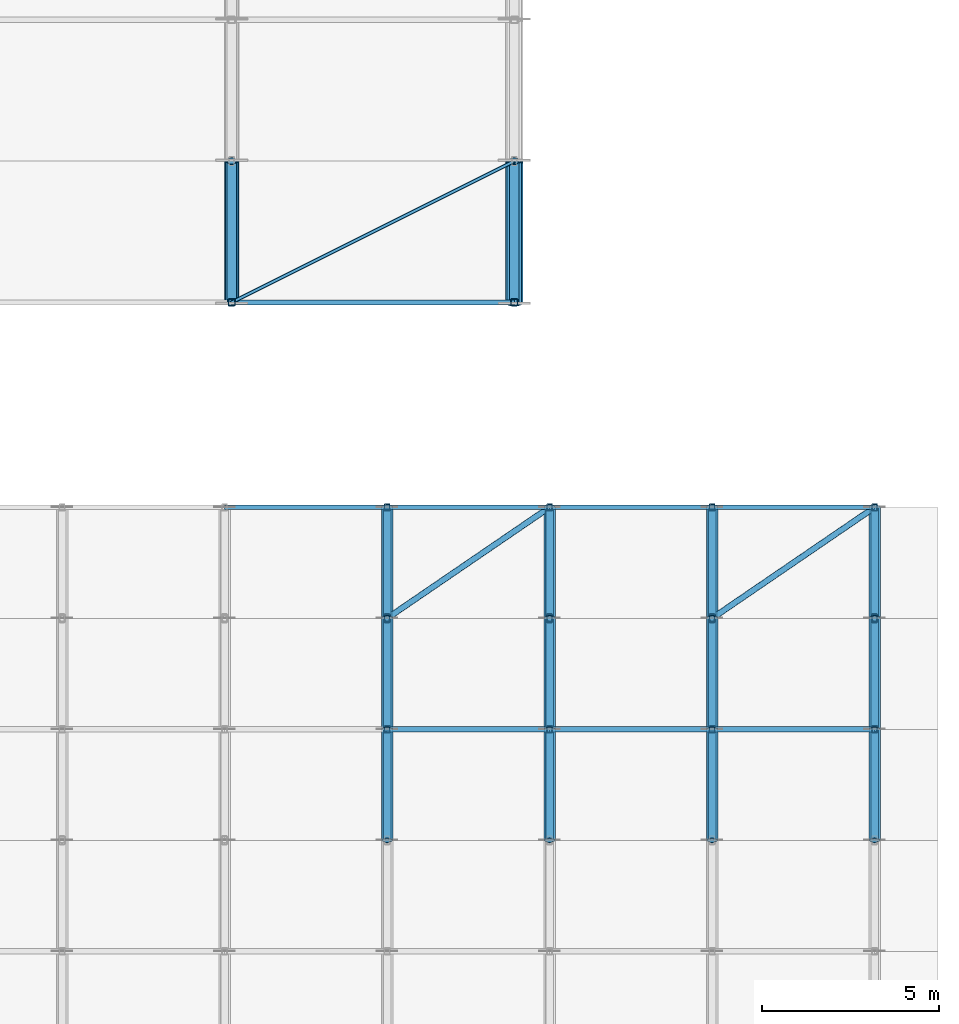
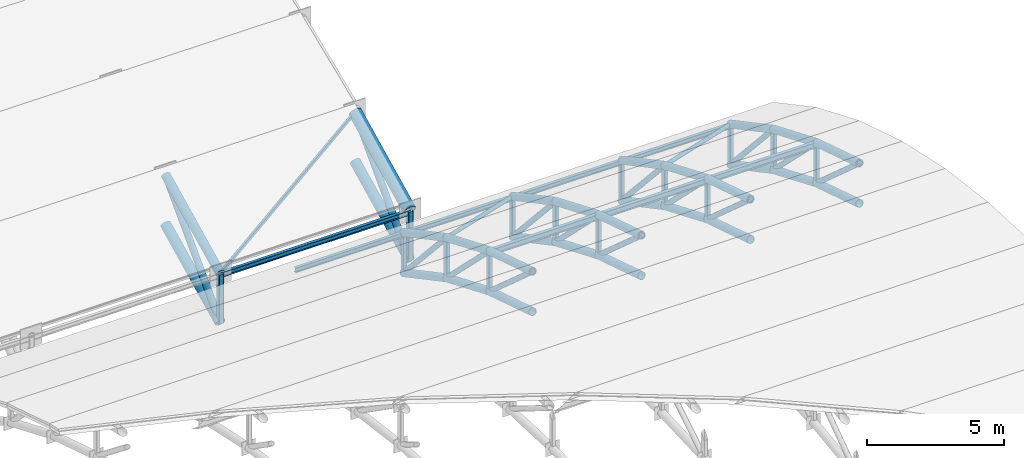
# One storey, part 45 of 98: 67 members.
"""IFC4 building model written with IfcOpenShell, lengths in metres."""

import ifcopenshell
import ifcopenshell.guid

model = None  # the IFC model being written
_history = None  # IfcOwnerHistory: only IFC2X3 demands one
_inside = {}  # id of a spatial element -> (the spatial element, [elements in it])
_under = {}  # id of a project, library or spatial element -> (it, [spatial elements below it])
_declared = {}  # id of a project -> (the project, [libraries it declares])
_typed = {}  # id of a type object -> (the type object, [elements of that type])
_made_of = {}  # id of a material, layer set ... -> (it, [elements and type objects made of it])


def new_model(schema):
    """Start an empty IFC model of exactly this schema.

    Asked for "IFC4X3", IfcOpenShell would pick the latest addendum, in which some entities
    have other attributes; the version numbers below select the first issue.
    IFC2X3 requires an IfcOwnerHistory on every rooted entity: one is made here for all.
    """
    global model, _history
    if schema == "IFC4X3":
        model = ifcopenshell.file(schema_version=(4, 3, 0, 0))
    else:
        model = ifcopenshell.file(schema=schema)
    _inside.clear()
    _under.clear()
    _declared.clear()
    _typed.clear()
    _made_of.clear()
    _history = None
    if model.schema == "IFC2X3":
        org = make("IfcOrganization", Name="unknown")
        user = make(
            "IfcPersonAndOrganization",
            ThePerson=make("IfcPerson", FamilyName="unknown"),
            TheOrganization=org,
        )
        app = make(
            "IfcApplication",
            ApplicationDeveloper=org,
            Version="unknown",
            ApplicationFullName="unknown",
            ApplicationIdentifier="unknown",
        )
        _history = make(
            "IfcOwnerHistory",
            OwningUser=user,
            OwningApplication=app,
            ChangeAction="ADDED",
            CreationDate=0,
        )
    return model


def make(cls, **values):
    """One entity of the class cls with the attributes given. An attribute that is None is left unset."""
    return model.create_entity(
        cls, **{name: value for name, value in values.items() if value is not None}
    )


def rooted(cls, **values):
    """An entity with a GlobalId (a new one), such as an element, a storey or a relation."""
    return make(cls, GlobalId=ifcopenshell.guid.new(), OwnerHistory=_history, **values)


def si_unit(unit_type, name, prefix=None):
    """IfcSIUnit, for example si_unit("LENGTHUNIT", "METRE", prefix="MILLI")."""
    return make("IfcSIUnit", UnitType=unit_type, Prefix=prefix, Name=name)


def assignment(units):
    """IfcUnitAssignment: the units of a project."""
    return None if units is None else make("IfcUnitAssignment", Units=units)


def point(xyz):
    """IfcCartesianPoint."""
    return None if xyz is None else make("IfcCartesianPoint", Coordinates=xyz)


def direction(xyz):
    """IfcDirection."""
    return None if xyz is None else make("IfcDirection", DirectionRatios=xyz)


def frame(location, z_axis=None, x_axis=None):
    """IfcAxis2Placement3D, a coordinate frame: its origin and axes. An axis left out is left unset."""
    return make(
        "IfcAxis2Placement3D",
        Location=point(location),
        Axis=direction(z_axis),
        RefDirection=direction(x_axis),
    )


def frame_2d(location, x_axis=None):
    """IfcAxis2Placement2D, a coordinate frame in the plane: its origin and x axis."""
    return make(
        "IfcAxis2Placement2D", Location=point(location), RefDirection=direction(x_axis)
    )


def origin():
    """The frame at (0, 0, 0) with its axes left unset."""
    return frame((0.0, 0.0, 0.0))


def origin_2d():
    """The frame at (0, 0) in the plane with its x axis left unset."""
    return frame_2d((0.0, 0.0))


def place(relative_to, where):
    """IfcLocalPlacement: puts the frame where relative to a parent placement (None: the world)."""
    return make(
        "IfcLocalPlacement", PlacementRelTo=relative_to, RelativePlacement=where
    )


def context(
    kind, dimensions, precision=None, world=None, true_north=None, identifier=None
):
    """IfcGeometricRepresentationContext, for example the 3D "Model" context."""
    return make(
        "IfcGeometricRepresentationContext",
        ContextIdentifier=identifier,
        ContextType=kind,
        CoordinateSpaceDimension=dimensions,
        Precision=precision,
        WorldCoordinateSystem=world,
        TrueNorth=true_north,
    )


def subcontext(parent, identifier, kind, view, scale=None):
    """IfcGeometricRepresentationSubContext, for example "Body" below "Model"."""
    return make(
        "IfcGeometricRepresentationSubContext",
        ContextIdentifier=identifier,
        ContextType=kind,
        ParentContext=parent,
        TargetScale=scale,
        TargetView=view,
    )


def project(units=None, contexts=None):
    """IfcProject with its units and contexts."""
    return rooted(
        "IfcProject",
        Name="project",
        RepresentationContexts=contexts,
        UnitsInContext=assignment(units),
    )


def spatial(cls, under=None, at=None, **own):
    """A site, building, storey or space (cls), placed at a placement, below another one or the project."""
    s = rooted(cls, ObjectPlacement=at, **own)
    if under is not None:
        _under.setdefault(under.id(), (under, []))[1].append(s)
    return s


def profile(cls, at=None, kind="AREA", **sizes):
    """A parametric profile (cls). Its sizes go by their IFC names, for example OverallWidth=200.0."""
    return make(cls, ProfileType=kind, Position=at, **sizes)


def hollow_rectangle(**sizes):
    """IfcRectangleHollowProfileDef."""
    return profile("IfcRectangleHollowProfileDef", **sizes)


def hollow_circle(**sizes):
    """IfcCircleHollowProfileDef."""
    return profile("IfcCircleHollowProfileDef", **sizes)


def i_section(**sizes):
    """IfcIShapeProfileDef."""
    return profile("IfcIShapeProfileDef", **sizes)


def extrude(swept, where, along, depth):
    """IfcExtrudedAreaSolid: the profile swept, set in the frame where, extruded along a direction by depth."""
    return make(
        "IfcExtrudedAreaSolid",
        SweptArea=swept,
        Position=where,
        ExtrudedDirection=direction(along),
        Depth=depth,
    )


def shape(context_of_items, identifier, shape_type, items):
    """IfcShapeRepresentation: the items that make up one representation, for example the "Body"."""
    return make(
        "IfcShapeRepresentation",
        ContextOfItems=context_of_items,
        RepresentationIdentifier=identifier,
        RepresentationType=shape_type,
        Items=items,
    )


def material(Name=None, Category=None):
    """IfcMaterial."""
    return make("IfcMaterial", Name=Name, Category=Category)


def material_profile(
    of_material, cross_section, Name=None, Category=None, Priority=None
):
    """IfcMaterialProfile: a cross section and its material."""
    return make(
        "IfcMaterialProfile",
        Name=Name,
        Material=of_material,
        Profile=cross_section,
        Priority=Priority,
        Category=Category,
    )


def profile_set(profiles, Name=None, composite=None):
    """IfcMaterialProfileSet."""
    return make(
        "IfcMaterialProfileSet",
        Name=Name,
        MaterialProfiles=profiles,
        CompositeProfile=composite,
    )


def made_of(thing, what):
    """Note that an element or type object is made of a material, layer set ...; save() writes the relation."""
    if what is not None:
        _made_of.setdefault(what.id(), (what, []))[1].append(thing)
    return thing


def type_object(cls, material=None, **own):
    """A type object (cls), such as IfcWallType, which elements share."""
    return made_of(rooted(cls, **own), material)


def element(
    cls,
    number,
    at=None,
    inside=None,
    cuts=None,
    type_object=None,
    material=None,
    context=None,
    identifier="Body",
    shape_type=None,
    held_by="IfcProductDefinitionShape",
    body=None,
    shapes=None,
    **own,
):
    """One element of the class cls, such as IfcWall. Its Tag is "e" and its number.

    at: its placement. inside: the storey or other place that contains it. cuts: it is an
    opening in that element (IfcRelVoidsElement). A single representation is given by context,
    identifier, shape_type and body (its items); several are given by shapes. held_by: the class
    of the entity that holds the representations. save() writes the other relations.
    """
    e = rooted(cls, Tag="e%d" % number, ObjectPlacement=at, **own)
    if body is not None:
        shapes = [shape(context, identifier, shape_type, body)]
    if shapes is not None:
        e.Representation = make(held_by, Representations=shapes)
    if inside is not None:
        _inside.setdefault(inside.id(), (inside, []))[1].append(e)
    if cuts is not None:
        rooted(
            "IfcRelVoidsElement", RelatingBuildingElement=cuts, RelatedOpeningElement=e
        )
    if type_object is not None:
        _typed.setdefault(type_object.id(), (type_object, []))[1].append(e)
    return made_of(e, material)


def aggregate(whole, parts):
    """IfcRelAggregates: a whole, such as a stair, and the parts it consists of."""
    return rooted("IfcRelAggregates", RelatingObject=whole, RelatedObjects=parts)


def save(model, path):
    """Write the relations noted so far, then the file.

    IfcRelAggregates (storeys below a building ...), IfcRelContainedInSpatialStructure (elements
    in a storey), IfcRelDefinesByType, IfcRelAssociatesMaterial and IfcRelDeclares: one each for
    every whole, place, type object, material and project.
    """
    for whole, parts in _under.values():
        aggregate(whole, parts)
    for where, things in _inside.values():
        rooted(
            "IfcRelContainedInSpatialStructure",
            RelatedElements=things,
            RelatingStructure=where,
        )
    for kind, things in _typed.values():
        rooted("IfcRelDefinesByType", RelatedObjects=things, RelatingType=kind)
    for what, things in _made_of.values():
        rooted("IfcRelAssociatesMaterial", RelatedObjects=things, RelatingMaterial=what)
    for by, libraries in _declared.values():
        rooted("IfcRelDeclares", RelatingContext=by, RelatedDefinitions=libraries)
    model.write(path)


model = new_model("IFC4")

# Units and contexts
model_context = context("Model", 3, precision=1e-05, world=origin(), true_north=direction((0.0, 1.0)))
body_context = subcontext(model_context, "Body", "Model", "MODEL_VIEW")
ifc_project = project(units=[si_unit("LENGTHUNIT", "METRE"), si_unit("AREAUNIT", "SQUARE_METRE"), si_unit("VOLUMEUNIT", "CUBIC_METRE"), si_unit("PLANEANGLEUNIT", "RADIAN"), si_unit("MASSUNIT", "GRAM", prefix="KILO")], contexts=[model_context])

# Site, building, storey
site_placement = place(None, origin())
site = spatial("IfcSite", under=ifc_project, at=site_placement, CompositionType="ELEMENT")
building_placement = place(site_placement, origin())
building = spatial("IfcBuilding", under=site, at=building_placement, Name="Tlacozan Convention Centre", CompositionType="ELEMENT")
storey_placement = place(building_placement, frame((0.0, 0.0, 25.800048828125)))
storey = spatial("IfcBuildingStorey", under=building, at=storey_placement, Name="Roof", CompositionType="ELEMENT", Elevation=25.800048828125)

# Members
ifc_material_1 = material(Name="Steel ASTM A500 Grade C", Category="steel")
ifc_material_profile_1 = material_profile(ifc_material_1, hollow_circle(Radius=0.203125, WallThickness=0.015869140625, at=origin_2d()), Name="OC 406.4x15.9")
ifc_profile_set_1 = profile_set([ifc_material_profile_1], Name="Steel ASTM A500 Grade C")
member_type_1 = type_object("IfcMemberType", Name="Arch Bottom Chord OC 406.4x15.9", PredefinedType="CHORD", material=ifc_profile_set_1)
for number, where, z_axis, x_axis, name in (
    (1, (160.0, 62.0, -12.800048828125), (0.0, 0.897300183135, 0.441420866459), (-1.0, 0.0, 0.0), "V2A Roof Truss 21 Bottom Chord 1"),
    (2, (168.0, 62.0, -12.800048828125), (0.0, 0.897300183135, 0.441420866459), (-1.0, 0.0, 0.0), "V2A Roof Truss 22 Bottom Chord 1"),
):
    element("IfcMember", number, at=place(storey_placement, frame(where, z_axis=z_axis, x_axis=x_axis)), inside=storey, type_object=member_type_1, Name=name, PredefinedType="CHORD", context=body_context, shape_type="SweptSolid", body=[
        extrude(hollow_circle(Radius=0.203125, WallThickness=0.015869140625, at=origin_2d()), origin(), (0.0, 0.0, 1.0), 4.457763671875),
    ])
ifc_material_profile_2 = material_profile(ifc_material_1, hollow_circle(Radius=0.25390625, WallThickness=0.01904296875, at=origin_2d()), Name="OC 508.0x19.1")
ifc_profile_set_2 = profile_set([ifc_material_profile_2], Name="Steel ASTM A500 Grade C")
member_type_2 = type_object("IfcMemberType", Name="Arch Top Chord OC 508x19.1", PredefinedType="CHORD", material=ifc_profile_set_2)
member_1_placement = place(storey_placement, frame((168.0, 62.0, -10.60009765625), z_axis=(0.0, 0.897300183135, 0.441420866459), x_axis=(-1.0, 0.0, 0.0)))
element("IfcMember", 3, at=member_1_placement, inside=storey, type_object=member_type_2, Name="V2A Roof Truss 22 Top Chord 1", PredefinedType="CHORD", context=body_context, shape_type="SweptSolid", body=[
    extrude(hollow_circle(Radius=0.25390625, WallThickness=0.01904296875, at=origin_2d()), origin(), (0.0, 0.0, 1.0), 4.457763671875),
])
ifc_material_profile_3 = material_profile(ifc_material_1, hollow_circle(Radius=0.136474609375, WallThickness=0.0126953125, at=origin_2d()), Name="OC 273.1x12.7")
ifc_profile_set_3 = profile_set([ifc_material_profile_3], Name="Steel ASTM A500 Grade C")
member_type_3 = type_object("IfcMemberType", Name="Arch Web Diagonal OC 273.1x12.7", PredefinedType="BRACE", material=ifc_profile_set_3)
for number, where, z_axis, x_axis, name in (
    (4, (160.0, 62.0, -12.800048828125), (0.0, 0.69244032859, 0.721475149497), (-1.0, 0.0, 0.0), "V2A Roof Truss 21 Web Diagonal 1"),
    (5, (168.0, 62.0, -12.800048828125), (0.0, 0.69244032859, 0.721475149497), (-1.0, 0.0, 0.0), "V2A Roof Truss 22 Web Diagonal 1"),
):
    element("IfcMember", number, at=place(storey_placement, frame(where, z_axis=z_axis, x_axis=x_axis)), inside=storey, type_object=member_type_3, Name=name, PredefinedType="BRACE", context=body_context, shape_type="SweptSolid", body=[
        extrude(hollow_circle(Radius=0.136474609375, WallThickness=0.0126953125, at=origin_2d()), origin(), (0.0, 0.0, 1.0), 5.776611328125),
    ])
ifc_material_profile_4 = material_profile(ifc_material_1, hollow_rectangle(XDim=0.203125, YDim=0.203125, WallThickness=0.0126953125, InnerFilletRadius=0.0126953125, OuterFilletRadius=0.02490234375, at=origin_2d()), Name="OR 203x203x12.7")
ifc_profile_set_4 = profile_set([ifc_material_profile_4], Name="Steel ASTM A500 Grade C")
member_type_4 = type_object("IfcMemberType", Name="Arch Web Strut OR 203x203x12.7", PredefinedType="STRUT", material=ifc_profile_set_4)
for number, where, z_axis, x_axis, name in (
    (6, (160.0, 62.0, -12.800048828125), (0.0, 0.0, 1.0), (1.0, 0.0, 0.0), "V2A Roof Truss 21 Vertical Strut 1"),
    (7, (168.0, 62.0, -12.800048828125), (0.0, 0.0, 1.0), (1.0, 0.0, 0.0), "V2A Roof Truss 22 Vertical Strut 1"),
):
    element("IfcMember", number, at=place(storey_placement, frame(where, z_axis=z_axis, x_axis=x_axis)), inside=storey, type_object=member_type_4, Name=name, PredefinedType="STRUT", context=body_context, shape_type="SweptSolid", body=[
        extrude(hollow_rectangle(XDim=0.203125, YDim=0.203125, WallThickness=0.0126953125, InnerFilletRadius=0.0126953125, OuterFilletRadius=0.02490234375, at=origin_2d()), origin(), (0.0, 0.0, 1.0), 2.199951171875),
    ])
ifc_material_profile_5 = material_profile(ifc_material_1, hollow_circle(Radius=0.084228515625, WallThickness=0.007080078125, at=origin_2d()), Name="OC 168.3x7.1")
ifc_profile_set_5 = profile_set([ifc_material_profile_5], Name="Steel ASTM A500 Grade C")
member_type_5 = type_object("IfcMemberType", Name="Canopy Tie Brace OC 168.3x7.1", PredefinedType="BRACE", material=ifc_profile_set_5)
for number, where, z_axis, x_axis, name in (
    (8, (164.39990234375, 53.058349609375, -5.124755859375), (0.790806198317, 0.540075053601, -0.288000856218), (-0.563970393817, 0.825795007794, 0.0), "V3A Roof Truss Plan Brace 5.12"),
    (9, (173.60009765625, 53.058349609375, -5.124755859375), (0.790790474351, 0.540092979351, -0.288010415318), (-0.563990805831, 0.825781067195, 0.0), "V3A Roof Truss Plan Brace 7.12"),
):
    element("IfcMember", number, at=place(storey_placement, frame(where, z_axis=z_axis, x_axis=x_axis)), inside=storey, type_object=member_type_5, Name=name, PredefinedType="BRACE", context=body_context, shape_type="SweptSolid", body=[
        extrude(hollow_circle(Radius=0.084228515625, WallThickness=0.007080078125, at=origin_2d()), origin(), (0.0, 0.0, 1.0), 5.81689453125),
    ])
ifc_material_2 = material(Name="Steel ASTM A992 Grade 50", Category="steel")
ifc_material_profile_6 = material_profile(ifc_material_2, i_section(OverallWidth=0.14697265625, OverallDepth=0.261962890625, WebThickness=0.006591796875, FlangeThickness=0.01123046875, FilletRadius=0.008056640625, at=origin_2d()), Name="IR 254x38.5")
ifc_profile_set_6 = profile_set([ifc_material_profile_6], Name="Steel ASTM A992 Grade 50")
member_type_6 = type_object("IfcMemberType", Name="Plenary Acoustic Purlin IR 254x38.5", PredefinedType="PURLIN", material=ifc_profile_set_6)
for number, where, z_axis, x_axis, name in (
    (10, (164.39990234375, 49.916748046875, -3.87939453125), (1.0, 0.0, 0.0), (0.0, 1.0, 0.0), "V3A Roof Truss Purlin 5.11"),
    (11, (169.0, 49.916748046875, -3.87939453125), (1.0, 0.0, 0.0), (0.0, 1.0, 0.0), "V3A Roof Truss Purlin 6.11"),
):
    element("IfcMember", number, at=place(storey_placement, frame(where, z_axis=z_axis, x_axis=x_axis)), inside=storey, type_object=member_type_6, Name=name, PredefinedType="PURLIN", context=body_context, shape_type="SweptSolid", body=[
        extrude(i_section(OverallWidth=0.14697265625, OverallDepth=0.261962890625, WebThickness=0.006591796875, FlangeThickness=0.01123046875, FilletRadius=0.008056640625, at=origin_2d()), origin(), (0.0, 0.0, 1.0), 4.60009765625),
    ])
member_2_placement = place(storey_placement, frame((173.60009765625, 49.916748046875, -3.87939453125), z_axis=(1.0, 0.0, 0.0), x_axis=(0.0, 1.0, 0.0)))
element("IfcMember", 12, at=member_2_placement, inside=storey, type_object=member_type_6, Name="V3A Roof Truss Purlin 7.11", PredefinedType="PURLIN", context=body_context, shape_type="SweptSolid", body=[
    extrude(i_section(OverallWidth=0.14697265625, OverallDepth=0.261962890625, WebThickness=0.006591796875, FlangeThickness=0.01123046875, FilletRadius=0.008056640625, at=origin_2d()), origin(), (0.0, 0.0, 1.0), 4.599853515625),
])
ifc_material_profile_7 = material_profile(ifc_material_1, hollow_circle(Radius=0.161865234375, WallThickness=0.0126953125, at=origin_2d()), Name="OC 323.9x12.7")
ifc_profile_set_7 = profile_set([ifc_material_profile_7], Name="Steel ASTM A500 Grade C")
member_type_7 = type_object("IfcMemberType", Name="Plenary Arch Chord OC 323.9x12.7", PredefinedType="CHORD", material=ifc_profile_set_7)
for number, where, z_axis, x_axis, name in (
    (13, (164.39990234375, 46.77490234375, -2.82861328125), (0.0, 0.954132369199, -0.299385073186), (-1.0, 0.0, 0.0), "V3A Roof Truss 5 Top Chord 10"),
    (14, (164.39990234375, 46.77490234375, -4.628662109375), (0.0, 0.954132369199, -0.299385073186), (-1.0, 0.0, 0.0), "V3A Roof Truss 5 Bottom Chord 10"),
):
    element("IfcMember", number, at=place(storey_placement, frame(where, z_axis=z_axis, x_axis=x_axis)), inside=storey, type_object=member_type_7, Name=name, PredefinedType="CHORD", context=body_context, shape_type="SweptSolid", body=[
        extrude(hollow_circle(Radius=0.161865234375, WallThickness=0.0126953125, at=origin_2d()), origin(), (0.0, 0.0, 1.0), 3.29296875),
    ])
for number, where, z_axis, x_axis, name in (
    (15, (164.39990234375, 49.916748046875, -3.814453125), (0.0, 0.922941057271, -0.384941300464), (-1.0, 0.0, 0.0), "V3A Roof Truss 5 Top Chord 11"),
    (16, (164.39990234375, 49.916748046875, -5.614501953125), (0.0, 0.922941057271, -0.384941300464), (-1.0, 0.0, 0.0), "V3A Roof Truss 5 Bottom Chord 11"),
):
    element("IfcMember", number, at=place(storey_placement, frame(where, z_axis=z_axis, x_axis=x_axis)), inside=storey, type_object=member_type_7, Name=name, PredefinedType="CHORD", context=body_context, shape_type="SweptSolid", body=[
        extrude(hollow_circle(Radius=0.161865234375, WallThickness=0.0126953125, at=origin_2d()), origin(), (0.0, 0.0, 1.0), 3.40380859375),
    ])
for number, where, z_axis, x_axis, name in (
    (17, (164.39990234375, 53.058349609375, -5.124755859375), (0.0, 0.882379514235, -0.47053840742), (-1.0, 0.0, 0.0), "V3A Roof Truss 5 Top Chord 12"),
    (18, (164.39990234375, 53.058349609375, -6.9248046875), (0.0, 0.882379514235, -0.47053840742), (-1.0, 0.0, 0.0), "V3A Roof Truss 5 Bottom Chord 12"),
):
    element("IfcMember", number, at=place(storey_placement, frame(where, z_axis=z_axis, x_axis=x_axis)), inside=storey, type_object=member_type_7, Name=name, PredefinedType="CHORD", context=body_context, shape_type="SweptSolid", body=[
        extrude(hollow_circle(Radius=0.161865234375, WallThickness=0.0126953125, at=origin_2d()), origin(), (0.0, 0.0, 1.0), 3.560302734375),
    ])
for number, where, z_axis, x_axis, name in (
    (19, (169.0, 46.77490234375, -2.82861328125), (0.0, 0.954132369199, -0.299385073186), (-1.0, 0.0, 0.0), "V3A Roof Truss 6 Top Chord 10"),
    (20, (169.0, 46.77490234375, -4.628662109375), (0.0, 0.954132369199, -0.299385073186), (-1.0, 0.0, 0.0), "V3A Roof Truss 6 Bottom Chord 10"),
):
    element("IfcMember", number, at=place(storey_placement, frame(where, z_axis=z_axis, x_axis=x_axis)), inside=storey, type_object=member_type_7, Name=name, PredefinedType="CHORD", context=body_context, shape_type="SweptSolid", body=[
        extrude(hollow_circle(Radius=0.161865234375, WallThickness=0.0126953125, at=origin_2d()), origin(), (0.0, 0.0, 1.0), 3.29296875),
    ])
for number, where, z_axis, x_axis, name in (
    (21, (169.0, 49.916748046875, -3.814453125), (0.0, 0.922941057271, -0.384941300464), (-1.0, 0.0, 0.0), "V3A Roof Truss 6 Top Chord 11"),
    (22, (169.0, 49.916748046875, -5.614501953125), (0.0, 0.922941057271, -0.384941300464), (-1.0, 0.0, 0.0), "V3A Roof Truss 6 Bottom Chord 11"),
):
    element("IfcMember", number, at=place(storey_placement, frame(where, z_axis=z_axis, x_axis=x_axis)), inside=storey, type_object=member_type_7, Name=name, PredefinedType="CHORD", context=body_context, shape_type="SweptSolid", body=[
        extrude(hollow_circle(Radius=0.161865234375, WallThickness=0.0126953125, at=origin_2d()), origin(), (0.0, 0.0, 1.0), 3.40380859375),
    ])
for number, where, z_axis, x_axis, name in (
    (23, (169.0, 53.058349609375, -5.124755859375), (0.0, 0.882379514235, -0.47053840742), (-1.0, 0.0, 0.0), "V3A Roof Truss 6 Top Chord 12"),
    (24, (169.0, 53.058349609375, -6.9248046875), (0.0, 0.882379514235, -0.47053840742), (-1.0, 0.0, 0.0), "V3A Roof Truss 6 Bottom Chord 12"),
):
    element("IfcMember", number, at=place(storey_placement, frame(where, z_axis=z_axis, x_axis=x_axis)), inside=storey, type_object=member_type_7, Name=name, PredefinedType="CHORD", context=body_context, shape_type="SweptSolid", body=[
        extrude(hollow_circle(Radius=0.161865234375, WallThickness=0.0126953125, at=origin_2d()), origin(), (0.0, 0.0, 1.0), 3.560302734375),
    ])
for number, where, z_axis, x_axis, name in (
    (25, (173.60009765625, 46.77490234375, -2.82861328125), (0.0, 0.954132369199, -0.299385073186), (-1.0, 0.0, 0.0), "V3A Roof Truss 7 Top Chord 10"),
    (26, (173.60009765625, 46.77490234375, -4.628662109375), (0.0, 0.954132369199, -0.299385073186), (-1.0, 0.0, 0.0), "V3A Roof Truss 7 Bottom Chord 10"),
):
    element("IfcMember", number, at=place(storey_placement, frame(where, z_axis=z_axis, x_axis=x_axis)), inside=storey, type_object=member_type_7, Name=name, PredefinedType="CHORD", context=body_context, shape_type="SweptSolid", body=[
        extrude(hollow_circle(Radius=0.161865234375, WallThickness=0.0126953125, at=origin_2d()), origin(), (0.0, 0.0, 1.0), 3.29296875),
    ])
for number, where, z_axis, x_axis, name in (
    (27, (173.60009765625, 49.916748046875, -3.814453125), (0.0, 0.922941057271, -0.384941300464), (-1.0, 0.0, 0.0), "V3A Roof Truss 7 Top Chord 11"),
    (28, (173.60009765625, 49.916748046875, -5.614501953125), (0.0, 0.922941057271, -0.384941300464), (-1.0, 0.0, 0.0), "V3A Roof Truss 7 Bottom Chord 11"),
):
    element("IfcMember", number, at=place(storey_placement, frame(where, z_axis=z_axis, x_axis=x_axis)), inside=storey, type_object=member_type_7, Name=name, PredefinedType="CHORD", context=body_context, shape_type="SweptSolid", body=[
        extrude(hollow_circle(Radius=0.161865234375, WallThickness=0.0126953125, at=origin_2d()), origin(), (0.0, 0.0, 1.0), 3.40380859375),
    ])
for number, where, z_axis, x_axis, name in (
    (29, (173.60009765625, 53.058349609375, -5.124755859375), (0.0, 0.882379514235, -0.47053840742), (-1.0, 0.0, 0.0), "V3A Roof Truss 7 Top Chord 12"),
    (30, (173.60009765625, 53.058349609375, -6.9248046875), (0.0, 0.882379514235, -0.47053840742), (-1.0, 0.0, 0.0), "V3A Roof Truss 7 Bottom Chord 12"),
):
    element("IfcMember", number, at=place(storey_placement, frame(where, z_axis=z_axis, x_axis=x_axis)), inside=storey, type_object=member_type_7, Name=name, PredefinedType="CHORD", context=body_context, shape_type="SweptSolid", body=[
        extrude(hollow_circle(Radius=0.161865234375, WallThickness=0.0126953125, at=origin_2d()), origin(), (0.0, 0.0, 1.0), 3.560302734375),
    ])
for number, where, z_axis, x_axis, name in (
    (31, (178.199951171875, 46.77490234375, -2.82861328125), (0.0, 0.954132369199, -0.299385073186), (-1.0, 0.0, 0.0), "V3A Roof Truss 8 Top Chord 10"),
    (32, (178.199951171875, 46.77490234375, -4.628662109375), (0.0, 0.954132369199, -0.299385073186), (-1.0, 0.0, 0.0), "V3A Roof Truss 8 Bottom Chord 10"),
):
    element("IfcMember", number, at=place(storey_placement, frame(where, z_axis=z_axis, x_axis=x_axis)), inside=storey, type_object=member_type_7, Name=name, PredefinedType="CHORD", context=body_context, shape_type="SweptSolid", body=[
        extrude(hollow_circle(Radius=0.161865234375, WallThickness=0.0126953125, at=origin_2d()), origin(), (0.0, 0.0, 1.0), 3.29296875),
    ])
for number, where, z_axis, x_axis, name in (
    (33, (178.199951171875, 49.916748046875, -3.814453125), (0.0, 0.922941057271, -0.384941300464), (-1.0, 0.0, 0.0), "V3A Roof Truss 8 Top Chord 11"),
    (34, (178.199951171875, 49.916748046875, -5.614501953125), (0.0, 0.922941057271, -0.384941300464), (-1.0, 0.0, 0.0), "V3A Roof Truss 8 Bottom Chord 11"),
):
    element("IfcMember", number, at=place(storey_placement, frame(where, z_axis=z_axis, x_axis=x_axis)), inside=storey, type_object=member_type_7, Name=name, PredefinedType="CHORD", context=body_context, shape_type="SweptSolid", body=[
        extrude(hollow_circle(Radius=0.161865234375, WallThickness=0.0126953125, at=origin_2d()), origin(), (0.0, 0.0, 1.0), 3.40380859375),
    ])
for number, where, z_axis, x_axis, name in (
    (35, (178.199951171875, 53.058349609375, -5.124755859375), (0.0, 0.882379514235, -0.47053840742), (-1.0, 0.0, 0.0), "V3A Roof Truss 8 Top Chord 12"),
    (36, (178.199951171875, 53.058349609375, -6.9248046875), (0.0, 0.882379514235, -0.47053840742), (-1.0, 0.0, 0.0), "V3A Roof Truss 8 Bottom Chord 12"),
):
    element("IfcMember", number, at=place(storey_placement, frame(where, z_axis=z_axis, x_axis=x_axis)), inside=storey, type_object=member_type_7, Name=name, PredefinedType="CHORD", context=body_context, shape_type="SweptSolid", body=[
        extrude(hollow_circle(Radius=0.161865234375, WallThickness=0.0126953125, at=origin_2d()), origin(), (0.0, 0.0, 1.0), 3.560302734375),
    ])
ifc_material_profile_8 = material_profile(ifc_material_1, hollow_circle(Radius=0.109619140625, WallThickness=0.009521484375, at=origin_2d()), Name="OC 219.1x9.5")
ifc_profile_set_8 = profile_set([ifc_material_profile_8], Name="Steel ASTM A500 Grade C")
member_type_8 = type_object("IfcMemberType", Name="Plenary Web Diagonal OC 219.1x9.5", PredefinedType="BRACE", material=ifc_profile_set_8)
member_3_placement = place(storey_placement, frame((164.39990234375, 46.77490234375, -2.82861328125), z_axis=(0.0, 0.748220333314, -0.663450324302), x_axis=(-1.0, 0.0, 0.0)))
element("IfcMember", 37, at=member_3_placement, inside=storey, type_object=member_type_8, Name="V3A Roof Truss 5 Web Diagonal 10", PredefinedType="BRACE", context=body_context, shape_type="SweptSolid", body=[
    extrude(hollow_circle(Radius=0.109619140625, WallThickness=0.009521484375, at=origin_2d()), origin(), (0.0, 0.0, 1.0), 4.198974609375),
])
member_4_placement = place(storey_placement, frame((164.39990234375, 49.916748046875, -3.814453125), z_axis=(0.0, 0.710632333284, -0.703563562794), x_axis=(-1.0, 0.0, 0.0)))
element("IfcMember", 38, at=member_4_placement, inside=storey, type_object=member_type_8, Name="V3A Roof Truss 5 Web Diagonal 11", PredefinedType="BRACE", context=body_context, shape_type="SweptSolid", body=[
    extrude(hollow_circle(Radius=0.109619140625, WallThickness=0.009521484375, at=origin_2d()), origin(), (0.0, 0.0, 1.0), 4.4208984375),
])
member_5_placement = place(storey_placement, frame((164.39990234375, 53.058349609375, -5.124755859375), z_axis=(0.0, 0.67058986077, -0.741828308056), x_axis=(-1.0, 0.0, 0.0)))
element("IfcMember", 39, at=member_5_placement, inside=storey, type_object=member_type_8, Name="V3A Roof Truss 5 Web Diagonal 12", PredefinedType="BRACE", context=body_context, shape_type="SweptSolid", body=[
    extrude(hollow_circle(Radius=0.109619140625, WallThickness=0.009521484375, at=origin_2d()), origin(), (0.0, 0.0, 1.0), 4.684814453125),
])
member_6_placement = place(storey_placement, frame((169.0, 46.77490234375, -2.82861328125), z_axis=(0.0, 0.748220333314, -0.663450324302), x_axis=(-1.0, 0.0, 0.0)))
element("IfcMember", 40, at=member_6_placement, inside=storey, type_object=member_type_8, Name="V3A Roof Truss 6 Web Diagonal 10", PredefinedType="BRACE", context=body_context, shape_type="SweptSolid", body=[
    extrude(hollow_circle(Radius=0.109619140625, WallThickness=0.009521484375, at=origin_2d()), origin(), (0.0, 0.0, 1.0), 4.198974609375),
])
member_7_placement = place(storey_placement, frame((169.0, 49.916748046875, -3.814453125), z_axis=(0.0, 0.710632333284, -0.703563562794), x_axis=(-1.0, 0.0, 0.0)))
element("IfcMember", 41, at=member_7_placement, inside=storey, type_object=member_type_8, Name="V3A Roof Truss 6 Web Diagonal 11", PredefinedType="BRACE", context=body_context, shape_type="SweptSolid", body=[
    extrude(hollow_circle(Radius=0.109619140625, WallThickness=0.009521484375, at=origin_2d()), origin(), (0.0, 0.0, 1.0), 4.4208984375),
])
member_8_placement = place(storey_placement, frame((169.0, 53.058349609375, -5.124755859375), z_axis=(0.0, 0.67058986077, -0.741828308056), x_axis=(-1.0, 0.0, 0.0)))
element("IfcMember", 42, at=member_8_placement, inside=storey, type_object=member_type_8, Name="V3A Roof Truss 6 Web Diagonal 12", PredefinedType="BRACE", context=body_context, shape_type="SweptSolid", body=[
    extrude(hollow_circle(Radius=0.109619140625, WallThickness=0.009521484375, at=origin_2d()), origin(), (0.0, 0.0, 1.0), 4.684814453125),
])
member_9_placement = place(storey_placement, frame((173.60009765625, 46.77490234375, -2.82861328125), z_axis=(0.0, 0.748220333314, -0.663450324302), x_axis=(-1.0, 0.0, 0.0)))
element("IfcMember", 43, at=member_9_placement, inside=storey, type_object=member_type_8, Name="V3A Roof Truss 7 Web Diagonal 10", PredefinedType="BRACE", context=body_context, shape_type="SweptSolid", body=[
    extrude(hollow_circle(Radius=0.109619140625, WallThickness=0.009521484375, at=origin_2d()), origin(), (0.0, 0.0, 1.0), 4.198974609375),
])
member_10_placement = place(storey_placement, frame((173.60009765625, 49.916748046875, -3.814453125), z_axis=(0.0, 0.710632333284, -0.703563562794), x_axis=(-1.0, 0.0, 0.0)))
element("IfcMember", 44, at=member_10_placement, inside=storey, type_object=member_type_8, Name="V3A Roof Truss 7 Web Diagonal 11", PredefinedType="BRACE", context=body_context, shape_type="SweptSolid", body=[
    extrude(hollow_circle(Radius=0.109619140625, WallThickness=0.009521484375, at=origin_2d()), origin(), (0.0, 0.0, 1.0), 4.4208984375),
])
member_11_placement = place(storey_placement, frame((173.60009765625, 53.058349609375, -5.124755859375), z_axis=(0.0, 0.67058986077, -0.741828308056), x_axis=(-1.0, 0.0, 0.0)))
element("IfcMember", 45, at=member_11_placement, inside=storey, type_object=member_type_8, Name="V3A Roof Truss 7 Web Diagonal 12", PredefinedType="BRACE", context=body_context, shape_type="SweptSolid", body=[
    extrude(hollow_circle(Radius=0.109619140625, WallThickness=0.009521484375, at=origin_2d()), origin(), (0.0, 0.0, 1.0), 4.684814453125),
])
member_12_placement = place(storey_placement, frame((178.199951171875, 46.77490234375, -2.82861328125), z_axis=(0.0, 0.748220333314, -0.663450324302), x_axis=(-1.0, 0.0, 0.0)))
element("IfcMember", 46, at=member_12_placement, inside=storey, type_object=member_type_8, Name="V3A Roof Truss 8 Web Diagonal 10", PredefinedType="BRACE", context=body_context, shape_type="SweptSolid", body=[
    extrude(hollow_circle(Radius=0.109619140625, WallThickness=0.009521484375, at=origin_2d()), origin(), (0.0, 0.0, 1.0), 4.198974609375),
])
member_13_placement = place(storey_placement, frame((178.199951171875, 49.916748046875, -3.814453125), z_axis=(0.0, 0.710632333284, -0.703563562794), x_axis=(-1.0, 0.0, 0.0)))
element("IfcMember", 47, at=member_13_placement, inside=storey, type_object=member_type_8, Name="V3A Roof Truss 8 Web Diagonal 11", PredefinedType="BRACE", context=body_context, shape_type="SweptSolid", body=[
    extrude(hollow_circle(Radius=0.109619140625, WallThickness=0.009521484375, at=origin_2d()), origin(), (0.0, 0.0, 1.0), 4.4208984375),
])
member_14_placement = place(storey_placement, frame((178.199951171875, 53.058349609375, -5.124755859375), z_axis=(0.0, 0.67058986077, -0.741828308056), x_axis=(-1.0, 0.0, 0.0)))
element("IfcMember", 48, at=member_14_placement, inside=storey, type_object=member_type_8, Name="V3A Roof Truss 8 Web Diagonal 12", PredefinedType="BRACE", context=body_context, shape_type="SweptSolid", body=[
    extrude(hollow_circle(Radius=0.109619140625, WallThickness=0.009521484375, at=origin_2d()), origin(), (0.0, 0.0, 1.0), 4.684814453125),
])
ifc_material_profile_9 = material_profile(ifc_material_1, hollow_rectangle(XDim=0.15234375, YDim=0.203125, WallThickness=0.009521484375, InnerFilletRadius=0.009521484375, OuterFilletRadius=0.01904296875, at=origin_2d()), Name="OR 203x152x9.5")
ifc_profile_set_9 = profile_set([ifc_material_profile_9], Name="Steel ASTM A500 Grade C")
member_type_9 = type_object("IfcMemberType", Name="Plenary Web Strut OR 203x152x9.5", PredefinedType="STRUT", material=ifc_profile_set_9)
for number, where, z_axis, x_axis, name in (
    (49, (164.39990234375, 49.916748046875, -5.614501953125), (0.0, 0.0, 1.0), (1.0, 0.0, 0.0), "V3A Roof Truss 5 Vertical Strut 11"),
    (50, (164.39990234375, 56.199951171875, -8.60009765625), (0.0, 0.0, 1.0), (1.0, 0.0, 0.0), "V3A Roof Truss 5 Vertical Strut 13"),
    (51, (169.0, 49.916748046875, -5.614501953125), (0.0, 0.0, 1.0), (1.0, 0.0, 0.0), "V3A Roof Truss 6 Vertical Strut 11"),
    (52, (169.0, 56.199951171875, -8.60009765625), (0.0, 0.0, 1.0), (1.0, 0.0, 0.0), "V3A Roof Truss 6 Vertical Strut 13"),
    (53, (173.60009765625, 49.916748046875, -5.614501953125), (0.0, 0.0, 1.0), (1.0, 0.0, 0.0), "V3A Roof Truss 7 Vertical Strut 11"),
    (54, (173.60009765625, 56.199951171875, -8.60009765625), (0.0, 0.0, 1.0), (1.0, 0.0, 0.0), "V3A Roof Truss 7 Vertical Strut 13"),
    (55, (178.199951171875, 49.916748046875, -5.614501953125), (0.0, 0.0, 1.0), (1.0, 0.0, 0.0), "V3A Roof Truss 8 Vertical Strut 11"),
    (56, (178.199951171875, 56.199951171875, -8.60009765625), (0.0, 0.0, 1.0), (1.0, 0.0, 0.0), "V3A Roof Truss 8 Vertical Strut 13"),
):
    element("IfcMember", number, at=place(storey_placement, frame(where, z_axis=z_axis, x_axis=x_axis)), inside=storey, type_object=member_type_9, Name=name, PredefinedType="STRUT", context=body_context, shape_type="SweptSolid", body=[
        extrude(hollow_rectangle(XDim=0.15234375, YDim=0.203125, WallThickness=0.009521484375, InnerFilletRadius=0.009521484375, OuterFilletRadius=0.01904296875, at=origin_2d()), origin(), (0.0, 0.0, 1.0), 1.800048828125),
    ])
ifc_material_profile_10 = material_profile(ifc_material_1, hollow_rectangle(XDim=0.1015625, YDim=0.15234375, WallThickness=0.009521484375, InnerFilletRadius=0.009521484375, OuterFilletRadius=0.01904296875, at=origin_2d()), Name="OR 152x102x9.5")
ifc_profile_set_10 = profile_set([ifc_material_profile_10], Name="Steel ASTM A500 Grade C")
member_type_10 = type_object("IfcMemberType", Name="Roof Plan Brace OR 152x102x9.5", PredefinedType="BRACE", material=ifc_profile_set_10)
member_15_placement = place(storey_placement, frame((160.0, 62.0, -10.60009765625), z_axis=(0.873536677994, 0.436768338997, 0.214865283955), x_axis=(-0.4472135955, 0.894427191, 0.0)))
element("IfcMember", 57, at=member_15_placement, inside=storey, type_object=member_type_10, Name="V2A Roof Truss Plan Brace 21.1", PredefinedType="BRACE", context=body_context, shape_type="SweptSolid", body=[
    extrude(hollow_rectangle(XDim=0.1015625, YDim=0.15234375, WallThickness=0.009521484375, InnerFilletRadius=0.009521484375, OuterFilletRadius=0.01904296875, at=origin_2d()), origin(), (0.0, 0.0, 1.0), 9.158203125),
])
ifc_material_profile_11 = material_profile(ifc_material_1, hollow_circle(Radius=0.177734375, WallThickness=0.015869140625, at=origin_2d()), Name="OC 355.6x15.9")
ifc_profile_set_11 = profile_set([ifc_material_profile_11], Name="Steel ASTM A500 Grade C")
member_type_11 = type_object("IfcMemberType", Name="Secondary Arch Chord OC 355.6x15.9", PredefinedType="CHORD", material=ifc_profile_set_11)
member_16_placement = place(storey_placement, frame((160.0, 62.0, -10.60009765625), z_axis=(0.0, 0.897300183135, 0.441420866459), x_axis=(-1.0, 0.0, 0.0)))
element("IfcMember", 58, at=member_16_placement, inside=storey, type_object=member_type_11, Name="V2A Roof Truss 21 Top Chord 1", PredefinedType="CHORD", context=body_context, shape_type="SweptSolid", body=[
    extrude(hollow_circle(Radius=0.177734375, WallThickness=0.015869140625, at=origin_2d()), origin(), (0.0, 0.0, 1.0), 4.457763671875),
])
ifc_material_profile_12 = material_profile(ifc_material_2, i_section(OverallWidth=0.134033203125, OverallDepth=0.2099609375, WebThickness=0.00634765625, FlangeThickness=0.01025390625, FilletRadius=0.008056640625, at=origin_2d()), Name="IR 203x31.3")
ifc_profile_set_12 = profile_set([ifc_material_profile_12], Name="Steel ASTM A992 Grade 50")
member_type_12 = type_object("IfcMemberType", Name="Secondary Eave Purlin IR 203x31.3", PredefinedType="PURLIN", material=ifc_profile_set_12)
member_17_placement = place(storey_placement, frame((160.0, 62.0, -10.6650390625), z_axis=(1.0, 0.0, 0.0), x_axis=(0.0, 1.0, 0.0)))
element("IfcMember", 59, at=member_17_placement, inside=storey, type_object=member_type_12, Name="V2A Roof Truss Purlin 21.1", PredefinedType="PURLIN", context=body_context, shape_type="SweptSolid", body=[
    extrude(i_section(OverallWidth=0.134033203125, OverallDepth=0.2099609375, WebThickness=0.00634765625, FlangeThickness=0.01025390625, FilletRadius=0.008056640625, at=origin_2d()), origin(), (0.0, 0.0, 1.0), 8.0),
])
member_18_placement = place(storey_placement, frame((159.800048828125, 56.199951171875, -6.864990234375), z_axis=(1.0, 0.0, 0.0), x_axis=(0.0, 1.0, 0.0)))
element("IfcMember", 60, at=member_18_placement, inside=storey, type_object=member_type_12, Name="V3A Roof Truss Purlin 4.13", PredefinedType="PURLIN", context=body_context, shape_type="SweptSolid", body=[
    extrude(i_section(OverallWidth=0.134033203125, OverallDepth=0.2099609375, WebThickness=0.00634765625, FlangeThickness=0.01025390625, FilletRadius=0.008056640625, at=origin_2d()), origin(), (0.0, 0.0, 1.0), 4.599853515625),
])
for number, where, z_axis, x_axis, name in (
    (61, (164.39990234375, 56.199951171875, -6.864990234375), (1.0, 0.0, 0.0), (0.0, 1.0, 0.0), "V3A Roof Truss Purlin 5.13"),
    (62, (169.0, 56.199951171875, -6.864990234375), (1.0, 0.0, 0.0), (0.0, 1.0, 0.0), "V3A Roof Truss Purlin 6.13"),
):
    element("IfcMember", number, at=place(storey_placement, frame(where, z_axis=z_axis, x_axis=x_axis)), inside=storey, type_object=member_type_12, Name=name, PredefinedType="PURLIN", context=body_context, shape_type="SweptSolid", body=[
        extrude(i_section(OverallWidth=0.134033203125, OverallDepth=0.2099609375, WebThickness=0.00634765625, FlangeThickness=0.01025390625, FilletRadius=0.008056640625, at=origin_2d()), origin(), (0.0, 0.0, 1.0), 4.60009765625),
    ])
member_19_placement = place(storey_placement, frame((173.60009765625, 56.199951171875, -6.864990234375), z_axis=(1.0, 0.0, 0.0), x_axis=(0.0, 1.0, 0.0)))
element("IfcMember", 63, at=member_19_placement, inside=storey, type_object=member_type_12, Name="V3A Roof Truss Purlin 7.13", PredefinedType="PURLIN", context=body_context, shape_type="SweptSolid", body=[
    extrude(i_section(OverallWidth=0.134033203125, OverallDepth=0.2099609375, WebThickness=0.00634765625, FlangeThickness=0.01025390625, FilletRadius=0.008056640625, at=origin_2d()), origin(), (0.0, 0.0, 1.0), 4.599853515625),
])
ifc_material_profile_13 = material_profile(ifc_material_1, hollow_rectangle(XDim=0.15234375, YDim=0.25390625, WallThickness=0.0126953125, InnerFilletRadius=0.0126953125, OuterFilletRadius=0.02490234375, at=origin_2d()), Name="OR 254x152x12.7")
ifc_profile_set_13 = profile_set([ifc_material_profile_13], Name="Steel ASTM A500 Grade C")
member_type_13 = type_object("IfcMemberType", Name="Truss Secondary Strut OR 254x152x12.7", PredefinedType="STRUT", material=ifc_profile_set_13)
for number, where, z_axis, x_axis, name in (
    (64, (164.39990234375, 53.058349609375, -6.9248046875), (0.0, 0.0, 1.0), (1.0, 0.0, 0.0), "V3A Roof Truss 5 Vertical Strut 12"),
    (65, (169.0, 53.058349609375, -6.9248046875), (0.0, 0.0, 1.0), (1.0, 0.0, 0.0), "V3A Roof Truss 6 Vertical Strut 12"),
    (66, (173.60009765625, 53.058349609375, -6.9248046875), (0.0, 0.0, 1.0), (1.0, 0.0, 0.0), "V3A Roof Truss 7 Vertical Strut 12"),
    (67, (178.199951171875, 53.058349609375, -6.9248046875), (0.0, 0.0, 1.0), (1.0, 0.0, 0.0), "V3A Roof Truss 8 Vertical Strut 12"),
):
    element("IfcMember", number, at=place(storey_placement, frame(where, z_axis=z_axis, x_axis=x_axis)), inside=storey, type_object=member_type_13, Name=name, PredefinedType="STRUT", context=body_context, shape_type="SweptSolid", body=[
        extrude(hollow_rectangle(XDim=0.15234375, YDim=0.25390625, WallThickness=0.0126953125, InnerFilletRadius=0.0126953125, OuterFilletRadius=0.02490234375, at=origin_2d()), origin(), (0.0, 0.0, 1.0), 1.800048828125),
    ])

save(model, "model.ifc")
